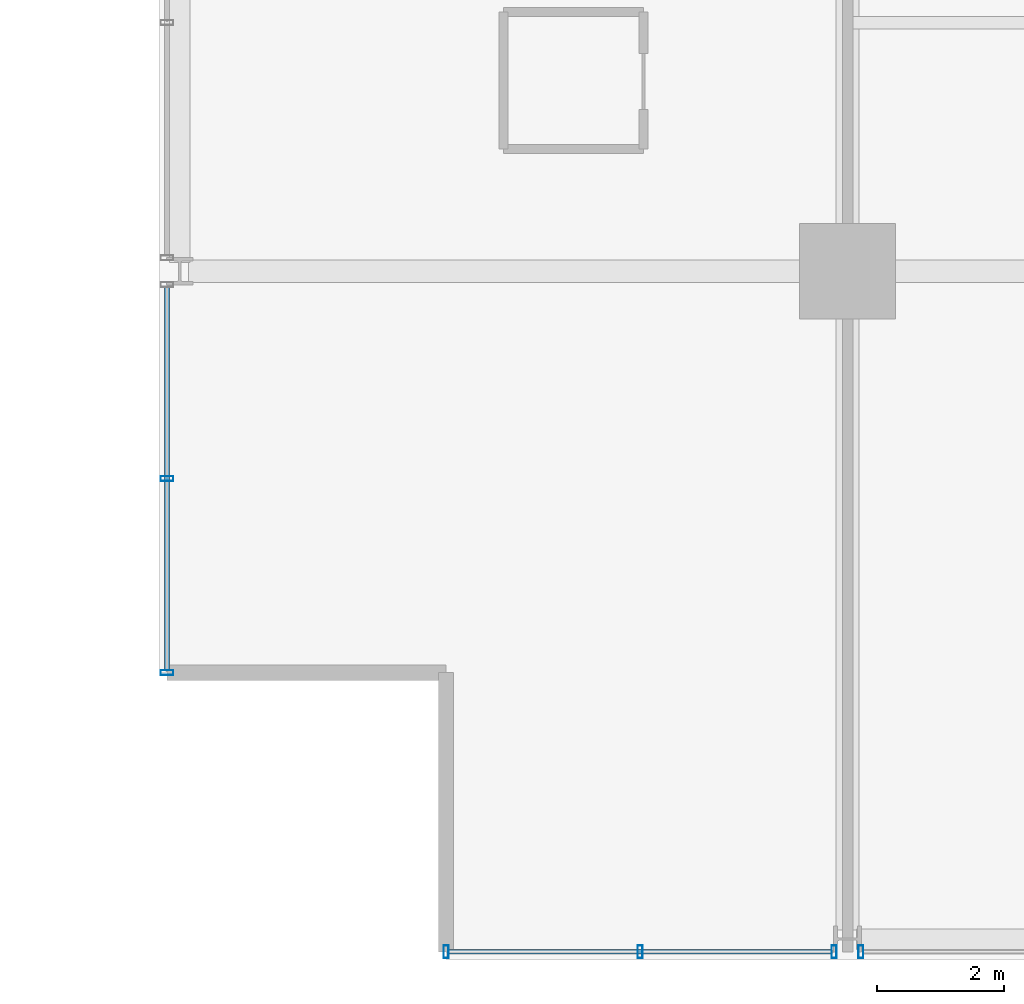
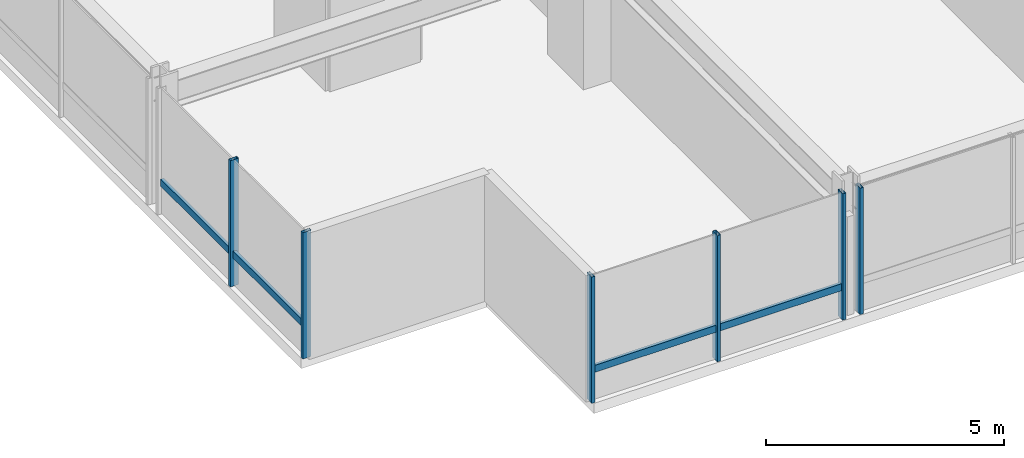
# One storey, part 2 of 35: 8 members, 3 elements without a shape of their own.
"""IFC4 building model written with IfcOpenShell, lengths in metres."""

from ifc_helpers import new_model, si_unit, direction, frame, origin, origin_2d, place, context, subcontext, project, spatial, hollow_rectangle, extrude, material, layer, layer_set, material_profile, profile_set, type_object, element, aggregate, save


model = new_model("IFC4")

# Units and contexts
model_context = context("Model", 3, precision=1e-05, world=origin(), true_north=direction((0.0, 1.0)))
body_context = subcontext(model_context, "Body", "Model", "MODEL_VIEW")
ifc_project = project(units=[si_unit("LENGTHUNIT", "METRE"), si_unit("AREAUNIT", "SQUARE_METRE"), si_unit("VOLUMEUNIT", "CUBIC_METRE"), si_unit("PLANEANGLEUNIT", "RADIAN"), si_unit("MASSUNIT", "GRAM", prefix="KILO")], contexts=[model_context])

# Site, building, storey
site_placement = place(None, origin())
site = spatial("IfcSite", under=ifc_project, at=site_placement, CompositionType="ELEMENT")
building_placement = place(site_placement, origin())
building = spatial("IfcBuilding", under=site, at=building_placement, Name="Drelvath Grand Hotel", CompositionType="ELEMENT")
storey_placement = place(building_placement, frame((0.0, 0.0, 123.300048828125)))
storey = spatial("IfcBuildingStorey", under=building, at=storey_placement, Name="L31", CompositionType="ELEMENT", Elevation=123.300048828125)

# Curtain wall, member
ifc_material = material(Name="Champagne Bronze Anodised Aluminium Frame", Category="aluminium")
ifc_layer = layer(ifc_material, 0.199951171875)
ifc_layer_set = layer_set([ifc_layer], Name="Champagne Bronze Anodised Aluminium Frame")
curtain_wall_type = type_object("IfcCurtainWallType", Name="Stick Curtain Wall CW-03 Champagne Bronze Mid-Rise", PredefinedType="NOTDEFINED", material=ifc_layer_set)
curtain_wall_1_placement = place(storey_placement, origin())
curtain_wall_1 = element("IfcCurtainWall", 1, at=curtain_wall_1_placement, inside=storey, type_object=curtain_wall_type, Name="L31 CW-03 Curtain Wall CW03-L31-WS1", PredefinedType="NOTDEFINED")
ifc_material_profile_1 = material_profile(ifc_material, hollow_rectangle(XDim=0.074951171875, YDim=0.179931640625, WallThickness=0.0048828125, at=origin_2d()), Name="HSS180X75X5")
ifc_profile_set_1 = profile_set([ifc_material_profile_1], Name="Champagne Bronze Anodised Aluminium Frame")
member_type_1 = type_object("IfcMemberType", Name="Curtain Wall Horizontal Transom CW-03 HSS180X75X5", PredefinedType="USERDEFINED", material=ifc_profile_set_1)
member_1_placement = place(storey_placement, frame((-26.8798828125, 4.5400390625, 0.81005859375), z_axis=(0.0, 1.0, 0.0), x_axis=(-1.0, 0.0, 0.0)))
member_1 = element("IfcMember", 2, at=member_1_placement, type_object=member_type_1, Name="CW03-L31-WS1 Sill Transom", ObjectType="TRANSOM", PredefinedType="USERDEFINED", context=body_context, shape_type="SweptSolid", body=[
    extrude(hollow_rectangle(XDim=0.074951171875, YDim=0.179931640625, WallThickness=0.0048828125, at=origin_2d()), origin(), (0.0, 0.0, 1.0), 6.010498046875),
])

curtain_wall_2_placement = place(storey_placement, origin())
curtain_wall_2 = element("IfcCurtainWall", 3, at=curtain_wall_2_placement, inside=storey, type_object=curtain_wall_type, Name="L31 CW-03 Curtain Wall CW03-L31-SW1", PredefinedType="NOTDEFINED")
member_2_placement = place(storey_placement, frame((-16.449462890625, 0.1201171875, 0.81005859375), z_axis=(-1.0, 0.0, 0.0), x_axis=(0.0, -1.0, 0.0)))
member_2 = element("IfcMember", 4, at=member_2_placement, type_object=member_type_1, Name="CW03-L31-SW1 Sill Transom", ObjectType="TRANSOM", PredefinedType="USERDEFINED", context=body_context, shape_type="SweptSolid", body=[
    extrude(hollow_rectangle(XDim=0.074951171875, YDim=0.179931640625, WallThickness=0.0048828125, at=origin_2d()), origin(), (0.0, 0.0, 1.0), 6.010498046875),
])

# Member
ifc_material_profile_2 = material_profile(ifc_material, hollow_rectangle(XDim=0.080078125, YDim=0.199951171875, WallThickness=0.0048828125, at=origin_2d()), Name="HSS200X80X5")
ifc_profile_set_2 = profile_set([ifc_material_profile_2], Name="Champagne Bronze Anodised Aluminium Frame")
member_type_2 = type_object("IfcMemberType", Name="Curtain Wall Vertical Mullion CW-03 HSS200X80X5", PredefinedType="MULLION", material=ifc_profile_set_2)
member_3_placement = place(storey_placement, frame((-26.8798828125, 4.5, 0.0), z_axis=(0.0, 0.0, 1.0), x_axis=(0.0, 1.0, 0.0)))
member_3 = element("IfcMember", 5, at=member_3_placement, type_object=member_type_2, Name="CW03-L31-WS1 Mullion 1", PredefinedType="MULLION", context=body_context, shape_type="SweptSolid", body=[
    extrude(hollow_rectangle(XDim=0.080078125, YDim=0.199951171875, WallThickness=0.0048828125, at=origin_2d()), origin(), (0.0, 0.0, 1.0), 3.239990234375),
])

member_4_placement = place(storey_placement, frame((-26.8798828125, 7.54541015625, 0.0), z_axis=(0.0, 0.0, 1.0), x_axis=(0.0, 1.0, 0.0)))
member_4 = element("IfcMember", 6, at=member_4_placement, type_object=member_type_2, Name="CW03-L31-WS1 Mullion 2", PredefinedType="MULLION", context=body_context, shape_type="SweptSolid", body=[
    extrude(hollow_rectangle(XDim=0.080078125, YDim=0.199951171875, WallThickness=0.0048828125, at=origin_2d()), origin(), (0.0, 0.0, 1.0), 3.239990234375),
])

aggregate(curtain_wall_1, [member_3, member_4, member_1])

member_5_placement = place(storey_placement, frame((-16.409423828125, 0.1201171875, 0.0), z_axis=(0.0, 0.0, 1.0), x_axis=(1.0, 0.0, 0.0)))
member_5 = element("IfcMember", 7, at=member_5_placement, type_object=member_type_2, Name="CW03-L31-SW1 Mullion 1", PredefinedType="MULLION", context=body_context, shape_type="SweptSolid", body=[
    extrude(hollow_rectangle(XDim=0.080078125, YDim=0.199951171875, WallThickness=0.0048828125, at=origin_2d()), origin(), (0.0, 0.0, 1.0), 3.239990234375),
])

member_6_placement = place(storey_placement, frame((-19.45458984375, 0.1201171875, 0.0), z_axis=(0.0, 0.0, 1.0), x_axis=(1.0, 0.0, 0.0)))
member_6 = element("IfcMember", 8, at=member_6_placement, type_object=member_type_2, Name="CW03-L31-SW1 Mullion 2", PredefinedType="MULLION", context=body_context, shape_type="SweptSolid", body=[
    extrude(hollow_rectangle(XDim=0.080078125, YDim=0.199951171875, WallThickness=0.0048828125, at=origin_2d()), origin(), (0.0, 0.0, 1.0), 3.239990234375),
])

member_7_placement = place(storey_placement, frame((-22.5, 0.1201171875, 0.0), z_axis=(0.0, 0.0, 1.0), x_axis=(1.0, 0.0, 0.0)))
member_7 = element("IfcMember", 9, at=member_7_placement, type_object=member_type_2, Name="CW03-L31-SW1 Mullion 3", PredefinedType="MULLION", context=body_context, shape_type="SweptSolid", body=[
    extrude(hollow_rectangle(XDim=0.080078125, YDim=0.199951171875, WallThickness=0.0048828125, at=origin_2d()), origin(), (0.0, 0.0, 1.0), 3.239990234375),
])

aggregate(curtain_wall_2, [member_5, member_6, member_7, member_2])

# Curtain wall, member
curtain_wall_3_placement = place(storey_placement, origin())
curtain_wall_3 = element("IfcCurtainWall", 10, at=curtain_wall_3_placement, inside=storey, type_object=curtain_wall_type, Name="L31 CW-03 Curtain Wall CW03-L31-SW2", PredefinedType="NOTDEFINED")
member_8_placement = place(storey_placement, frame((-15.990478515625, 0.1201171875, 0.0), z_axis=(0.0, 0.0, 1.0), x_axis=(1.0, 0.0, 0.0)))
member_8 = element("IfcMember", 11, at=member_8_placement, type_object=member_type_2, Name="CW03-L31-SW2 Mullion 3", PredefinedType="MULLION", context=body_context, shape_type="SweptSolid", body=[
    extrude(hollow_rectangle(XDim=0.080078125, YDim=0.199951171875, WallThickness=0.0048828125, at=origin_2d()), origin(), (0.0, 0.0, 1.0), 3.239990234375),
])
aggregate(curtain_wall_3, [member_8])

save(model, "model.ifc")
